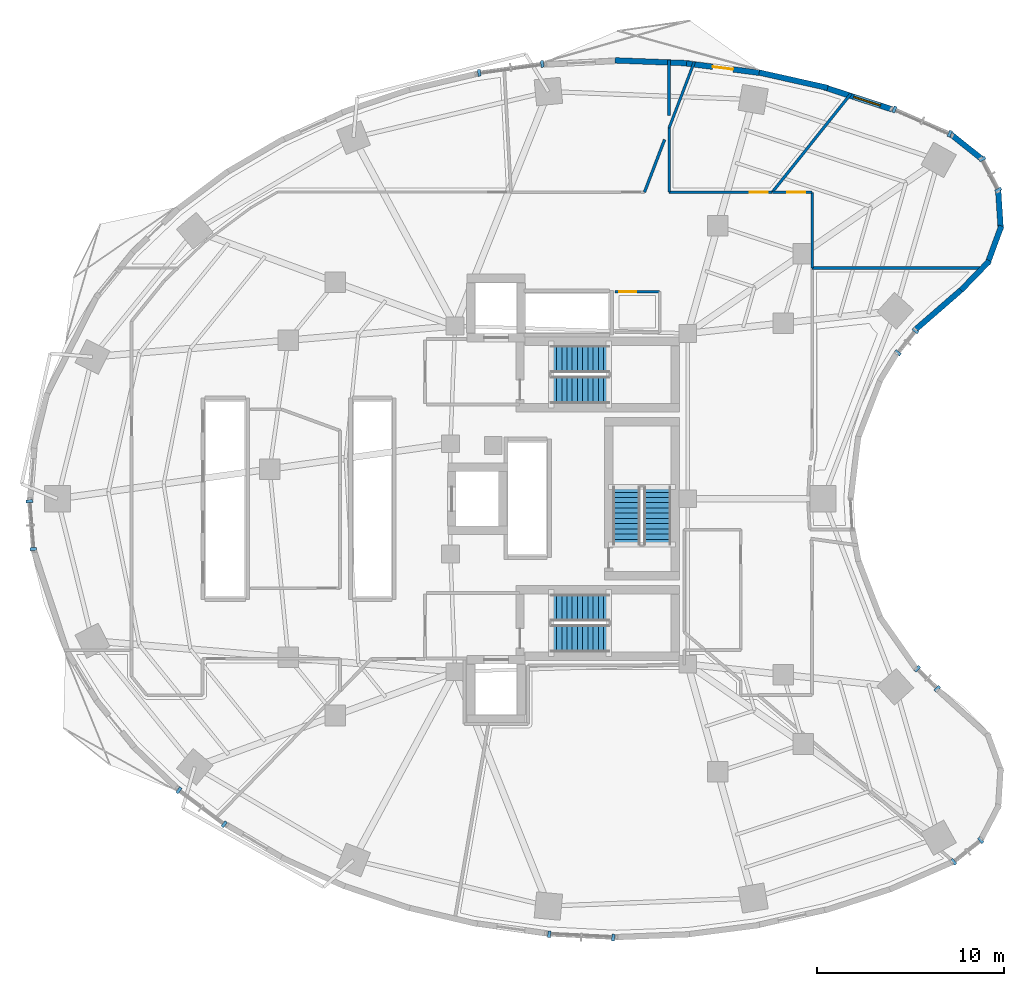
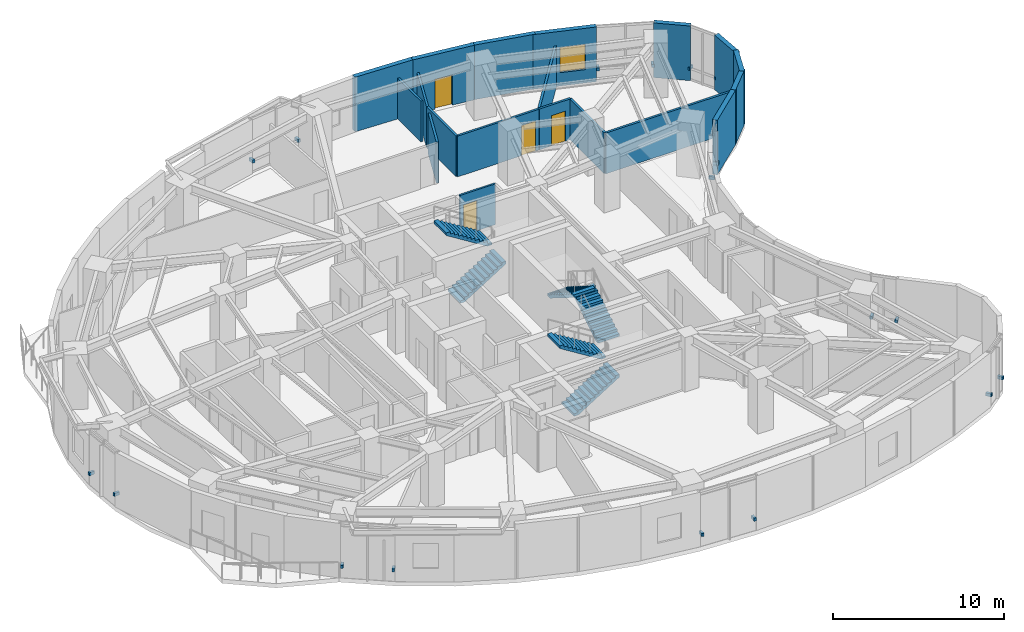
# One storey, part 11 of 14: 19 walls, 18 discrete accessories, 6 stair flights, 4 doors, 1 window, 5 openings, 3 elements without a shape of their own.
"""IFC4 building model written with IfcOpenShell, lengths in metres."""

from ifc_helpers import new_model, si_unit, direction, frame, frame_2d, origin, origin_2d, place, context, subcontext, project, spatial, polyline, rectangle, outline, extrude, material, layer, layer_set, type_object, element, fill, aggregate, save


model = new_model("IFC4")

# Units and contexts
model_context = context("Model", 3, precision=1e-05, world=origin(), true_north=direction((0.0, 1.0)))
body_context = subcontext(model_context, "Body", "Model", "MODEL_VIEW")
ifc_project = project(units=[si_unit("LENGTHUNIT", "METRE"), si_unit("AREAUNIT", "SQUARE_METRE"), si_unit("VOLUMEUNIT", "CUBIC_METRE"), si_unit("PLANEANGLEUNIT", "RADIAN"), si_unit("MASSUNIT", "GRAM", prefix="KILO")], contexts=[model_context])

# Site, building, storey
site_placement = place(None, origin())
site = spatial("IfcSite", under=ifc_project, at=site_placement, CompositionType="ELEMENT")
building_placement = place(site_placement, origin())
building = spatial("IfcBuilding", under=site, at=building_placement, Name="Korentha Bioscience Tower", CompositionType="ELEMENT")
storey_placement = place(building_placement, frame((0.0, 0.0, 46.800048828125)))
storey = spatial("IfcBuildingStorey", under=building, at=storey_placement, Name="L10", CompositionType="ELEMENT", Elevation=46.800048828125)

# Wall, opening, door
ifc_material_1 = material(Name="Double-Stud Acoustic Gypsum", Category="gypsum")
ifc_layer_1 = layer(ifc_material_1, 0.14990234375, Name="Double-Stud Acoustic Gypsum")
ifc_layer_set_1 = layer_set([ifc_layer_1], Name="Double-Stud Acoustic Gypsum (IW-L150)")
wall_type_1 = type_object("IfcWallType", Name="Acoustic Laboratory Partition Wall 150", PredefinedType="PARTITIONING", material=ifc_layer_set_1)
wall_1_placement = place(storey_placement, frame((44.199951171875, 43.409912109375, 0.0), z_axis=(0.0, 0.0, 1.0), x_axis=(-1.0, 0.0, 0.0)))
wall_1 = element("IfcWall", 1, at=wall_1_placement, inside=storey, type_object=wall_type_1, Name="L10 Robotic Liquid-Handling Suite 07 Entrance Wall", PredefinedType="PARTITIONING", context=body_context, shape_type="SweptSolid", body=[
    extrude(rectangle(XDim=2.123779296875, YDim=0.14990234375, at=frame_2d((1.06201171875, 0.0))), origin(), (0.0, 0.0, 1.0), 2.909912109375),
])
opening_1_placement = place(wall_1_placement, frame((0.37158203125, 0.0, 0.0)))
opening_1 = element("IfcOpeningElement", 2, at=opening_1_placement, cuts=wall_1, Name="Opening ID-10R", PredefinedType="OPENING", context=body_context, shape_type="SweptSolid", body=[
    extrude(rectangle(XDim=0.949951171875, YDim=2.14990234375, at=frame_2d((0.47509765625, 1.074951171875))), frame((0.0, 0.08984375, 0.0), z_axis=(0.0, -1.0, 0.0), x_axis=(1.0, 0.0, 0.0)), (0.0, 0.0, 1.0), 0.1796875),
])
ifc_material_2 = material(Name="Phenolic Laminate Timber Core", Category="wood")
door_type_1 = type_object("IfcDoorType", Name="Laboratory Single Leaf Door 950x2150 Right", OperationType="SINGLE_SWING_RIGHT", PredefinedType="DOOR", material=ifc_material_2)
door_1_placement = place(opening_1_placement, origin())
door_1 = element("IfcDoor", 3, at=door_1_placement, inside=storey, type_object=door_type_1, Name="L10 Robotic Liquid-Handling Suite 07 Door", OperationType="SINGLE_SWING_RIGHT", OverallHeight=2.14990234375, OverallWidth=0.949951171875, PredefinedType="DOOR", context=body_context, shape_type="SweptSolid", body=[
    extrude(rectangle(XDim=0.949951171875, YDim=2.14990234375, at=frame_2d((0.47509765625, 1.074951171875))), frame((0.0, 0.02490234375, 0.0), z_axis=(0.0, -1.0, 0.0), x_axis=(1.0, 0.0, 0.0)), (0.0, 0.0, 1.0), 0.050048828125),
])
fill(opening_1, door_1)

# Walls
wall_2_placement = place(storey_placement, frame((44.2099609375, 39.347900390625, 0.0), z_axis=(0.0, 0.0, 1.0), x_axis=(1.0, 0.0, 0.0)))
element("IfcWall", 4, at=wall_2_placement, inside=storey, type_object=wall_type_1, Name="L10 Interior Partition 051", PredefinedType="PARTITIONING", context=body_context, shape_type="SweptSolid", body=[
    extrude(rectangle(XDim=9.172607421875, YDim=0.14990234375, at=frame_2d((4.58642578125, 0.0))), origin(), (0.0, 0.0, 1.0), 2.909912109375),
])
wall_3_placement = place(storey_placement, frame((44.2099609375, 39.35791015625, 0.0), z_axis=(0.0, 0.0, 1.0), x_axis=(0.0, 1.0, 0.0)))
element("IfcWall", 5, at=wall_3_placement, inside=storey, type_object=wall_type_1, Name="L10 Interior Partition 052", PredefinedType="PARTITIONING", context=body_context, shape_type="SweptSolid", body=[
    extrude(rectangle(XDim=4.0419921875, YDim=0.14990234375, at=frame_2d((2.02099609375, 0.0))), origin(), (0.0, 0.0, 1.0), 2.909912109375),
])
wall_4_placement = place(storey_placement, frame((42.076171875, 43.409912109375, 0.0), z_axis=(0.0, 0.0, 1.0), x_axis=(0.623883060792, 0.781517707066, 0.0)))
element("IfcWall", 6, at=wall_4_placement, inside=storey, type_object=wall_type_1, Name="L10 Interior Partition 053", PredefinedType="PARTITIONING", context=body_context, shape_type="SweptSolid", body=[
    extrude(rectangle(XDim=6.74951171875, YDim=0.14990234375, at=frame_2d((3.374755859375, 0.0))), origin(), (0.0, 0.0, 1.0), 2.909912109375),
])
wall_5_placement = place(storey_placement, frame((36.548095703125, 50.470458984375, 0.0), z_axis=(0.0, 0.0, 1.0), x_axis=(0.0, -1.0, 0.0)))
element("IfcWall", 7, at=wall_5_placement, inside=storey, type_object=wall_type_1, Name="L10 Interior Partition 056", PredefinedType="PARTITIONING", context=body_context, shape_type="SweptSolid", body=[
    extrude(rectangle(XDim=2.9677734375, YDim=0.14990234375, at=frame_2d((1.48388671875, 0.0))), origin(), (0.0, 0.0, 1.0), 2.909912109375),
])
wall_6_placement = place(storey_placement, frame((36.31201171875, 46.222900390625, 0.0), z_axis=(0.0, 0.0, 1.0), x_axis=(-0.356750456219, -0.934199717399, 0.0)))
element("IfcWall", 8, at=wall_6_placement, inside=storey, type_object=wall_type_1, Name="L10 Interior Partition 057", PredefinedType="PARTITIONING", context=body_context, shape_type="SweptSolid", body=[
    extrude(rectangle(XDim=3.01123046875, YDim=0.14990234375, at=frame_2d((1.505615234375, 0.0))), origin(), (0.0, 0.0, 1.0), 2.909912109375),
])

# Wall, opening, door
ifc_material_3 = material(Name="Insulated Aluminium Honeycomb Panel", Category="aluminium")
ifc_layer_2 = layer(ifc_material_3, 0.139892578125, Name="Insulated Aluminium Honeycomb Panel")
ifc_layer_set_2 = layer_set([ifc_layer_2], Name="Insulated Aluminium Honeycomb Panel (IW-F60)")
wall_type_2 = type_object("IfcWallType", Name="Cleanroom Flush Metal Panel Partition 140", PredefinedType="PARTITIONING", material=ifc_layer_set_2)
wall_7_placement = place(storey_placement, frame((42.066162109375, 43.409912109375, 0.0), z_axis=(0.0, 0.0, 1.0), x_axis=(-1.0, 0.0, 0.0)))
wall_7 = element("IfcWall", 9, at=wall_7_placement, inside=storey, type_object=wall_type_2, Name="L10 Microfluidics Biochip Cleanroom 08 Entrance Wall", PredefinedType="PARTITIONING", context=body_context, shape_type="SweptSolid", body=[
    extrude(rectangle(XDim=5.51416015625, YDim=0.139892578125, at=frame_2d((2.757080078125, 0.0))), origin(), (0.0, 0.0, 1.0), 2.909912109375),
])
opening_2_placement = place(wall_7_placement, frame((0.239990234375, 0.0, 0.0)))
opening_2 = element("IfcOpeningElement", 10, at=opening_2_placement, cuts=wall_7, Name="Opening ID-10L", PredefinedType="OPENING", context=body_context, shape_type="SweptSolid", body=[
    extrude(rectangle(XDim=0.949951171875, YDim=2.14990234375, at=frame_2d((0.47509765625, 1.074951171875))), frame((0.0, 0.0849609375, 0.0), z_axis=(0.0, -1.0, 0.0), x_axis=(1.0, 0.0, 0.0)), (0.0, 0.0, 1.0), 0.169677734375),
])
door_type_2 = type_object("IfcDoorType", Name="Laboratory Single Leaf Door 950x2150 Left", OperationType="SINGLE_SWING_LEFT", PredefinedType="DOOR", material=ifc_material_2)
door_2_placement = place(opening_2_placement, origin())
door_2 = element("IfcDoor", 11, at=door_2_placement, inside=storey, type_object=door_type_2, Name="L10 Microfluidics Biochip Cleanroom 08 Door", OperationType="SINGLE_SWING_LEFT", OverallHeight=2.14990234375, OverallWidth=0.949951171875, PredefinedType="DOOR", context=body_context, shape_type="SweptSolid", body=[
    extrude(rectangle(XDim=0.949951171875, YDim=2.14990234375, at=frame_2d((0.47509765625, 1.074951171875))), frame((0.0, 0.02490234375, 0.0), z_axis=(0.0, -1.0, 0.0), x_axis=(1.0, 0.0, 0.0)), (0.0, 0.0, 1.0), 0.050048828125),
])
fill(opening_2, door_2)

# Walls
wall_8_placement = place(storey_placement, frame((36.552001953125, 43.409912109375, 0.0), z_axis=(0.0, 0.0, 1.0), x_axis=(0.0, 1.0, 0.0)))
element("IfcWall", 12, at=wall_8_placement, inside=storey, type_object=wall_type_2, Name="L10 Interior Partition 054", PredefinedType="PARTITIONING", context=body_context, shape_type="SweptSolid", body=[
    extrude(rectangle(XDim=3.430419921875, YDim=0.139892578125, at=frame_2d((1.71533203125, 0.0))), origin(), (0.0, 0.0, 1.0), 2.909912109375),
])
wall_9_placement = place(storey_placement, frame((36.552001953125, 46.84033203125, 0.0), z_axis=(0.0, 0.0, 1.0), x_axis=(0.356724060898, 0.934209796767, 0.0)))
element("IfcWall", 13, at=wall_9_placement, inside=storey, type_object=wall_type_2, Name="L10 Interior Partition 055", PredefinedType="PARTITIONING", context=body_context, shape_type="SweptSolid", body=[
    extrude(rectangle(XDim=3.788818359375, YDim=0.139892578125, at=frame_2d((1.89453125, 0.0))), origin(), (0.0, 0.0, 1.0), 2.909912109375),
])

# Wall, opening, window
ifc_material_4 = material(Name="Honed Limestone Precast Concrete C40", Category="masonry")
ifc_layer_3 = layer(ifc_material_4, 0.300048828125, Name="Honed Limestone Precast Concrete C40")
ifc_layer_set_3 = layer_set([ifc_layer_3], Name="Honed Limestone Precast Concrete C40 (EW-ST300)")
wall_type_3 = type_object("IfcWallType", Name="Honed Limestone Cavity Spandrel Wall 300", PredefinedType="STANDARD", material=ifc_layer_set_3)
wall_10_placement = place(storey_placement, frame((48.49951171875, 47.836181640625, 0.0), z_axis=(0.0, 0.0, 1.0), x_axis=(-0.950958033078, 0.30931993037, 0.0)))
wall_10 = element("IfcWall", 14, at=wall_10_placement, inside=storey, type_object=wall_type_3, Name="L10 Honed Limestone Spandrel Wall 02", PredefinedType="STANDARD", context=body_context, shape_type="SweptSolid", body=[
    extrude(rectangle(XDim=3.80029296875, YDim=0.300048828125, at=frame_2d((1.900146484375, 0.0))), origin(), (0.0, 0.0, 1.0), 3.89990234375),
])
opening_3_placement = place(wall_10_placement, frame((0.674560546875, 0.0, 0.949951171875)))
opening_3 = element("IfcOpeningElement", 15, at=opening_3_placement, cuts=wall_10, Name="Opening WN-02", PredefinedType="OPENING", context=body_context, shape_type="SweptSolid", body=[
    extrude(rectangle(XDim=1.5, YDim=1.800048828125, at=frame_2d((0.75, 0.89990234375))), frame((0.0, 0.1650390625, 0.0), z_axis=(0.0, -1.0, 0.0), x_axis=(1.0, 0.0, 0.0)), (0.0, 0.0, 1.0), 0.329833984375),
])
ifc_material_5 = material(Name="Thermally Broken Aluminium Triple Glazing", Category="aluminium")
window_type = type_object("IfcWindowType", Name="Acoustic Operable Office Window 1500x1800", PartitioningType="DOUBLE_PANEL_VERTICAL", PredefinedType="WINDOW", material=ifc_material_5)
window_placement = place(opening_3_placement, origin())
window = element("IfcWindow", 16, at=window_placement, inside=storey, type_object=window_type, Name="L10 Facade Window 02", OverallHeight=1.800048828125, OverallWidth=1.5, PartitioningType="DOUBLE_PANEL_VERTICAL", PredefinedType="WINDOW", context=body_context, shape_type="SweptSolid", body=[
    extrude(rectangle(XDim=1.5, YDim=1.800048828125, at=frame_2d((0.75, 0.89990234375))), frame((0.0, 0.030029296875, 0.0), z_axis=(0.0, -1.0, 0.0), x_axis=(1.0, 0.0, 0.0)), (0.0, 0.0, 1.0), 0.06005859375),
])
fill(opening_3, window)

# Wall, opening, door
wall_11_placement = place(storey_placement, frame((41.37255859375, 49.797607421875, 0.0), z_axis=(0.0, 0.0, 1.0), x_axis=(-0.991741322416, 0.128254237408, 0.0)))
wall_11 = element("IfcWall", 17, at=wall_11_placement, inside=storey, type_object=wall_type_3, Name="L10 Balcony Threshold Wall 01", PredefinedType="STANDARD", context=body_context, shape_type="SweptSolid", body=[
    extrude(rectangle(XDim=3.91552734375, YDim=0.300048828125, at=frame_2d((1.957763671875, 0.0))), origin(), (0.0, 0.0, 1.0), 3.89990234375),
])
opening_4_placement = place(wall_11_placement, frame((1.407958984375, 0.0, 0.0)))
opening_4 = element("IfcOpeningElement", 18, at=opening_4_placement, cuts=wall_11, Name="Opening BD-11L", PredefinedType="OPENING", context=body_context, shape_type="SweptSolid", body=[
    extrude(rectangle(XDim=1.10009765625, YDim=2.14990234375, at=frame_2d((0.550048828125, 1.074951171875))), frame((0.0, 0.1650390625, 0.0), z_axis=(0.0, -1.0, 0.0), x_axis=(1.0, 0.0, 0.0)), (0.0, 0.0, 1.0), 0.329833984375),
])
ifc_material_6 = material(Name="Thermally Broken Glazed Aluminium", Category="aluminium")
door_type_3 = type_object("IfcDoorType", Name="Balcony Terrace Glazed Door 1100x2150 Left", OperationType="SINGLE_SWING_LEFT", PredefinedType="DOOR", material=ifc_material_6)
door_3_placement = place(opening_4_placement, origin())
door_3 = element("IfcDoor", 19, at=door_3_placement, inside=storey, type_object=door_type_3, Name="L10 Balcony Access Door 01", OperationType="SINGLE_SWING_LEFT", OverallHeight=2.14990234375, OverallWidth=1.10009765625, PredefinedType="DOOR", context=body_context, shape_type="SweptSolid", body=[
    extrude(rectangle(XDim=1.10009765625, YDim=2.14990234375, at=frame_2d((0.550048828125, 1.074951171875))), frame((0.0, 0.02490234375, 0.0), z_axis=(0.0, -1.0, 0.0), x_axis=(1.0, 0.0, 0.0)), (0.0, 0.0, 1.0), 0.050048828125),
])
fill(opening_4, door_3)

# Walls
wall_12_placement = place(storey_placement, frame((45.03955078125, 48.9912109375, 0.0), z_axis=(0.0, 0.0, 1.0), x_axis=(-0.975868573345, 0.218358713032, 0.0)))
element("IfcWall", 20, at=wall_12_placement, inside=storey, type_object=wall_type_3, Name="L10 Limestone Perimeter Closure Wall 03", PredefinedType="STANDARD", context=body_context, shape_type="SweptSolid", body=[
    extrude(rectangle(XDim=3.90869140625, YDim=0.300048828125, at=frame_2d((1.954345703125, 0.0))), origin(), (0.0, 0.0, 1.0), 3.89990234375),
])
wall_13_placement = place(storey_placement, frame((37.643798828125, 50.307861328125, 0.0), z_axis=(0.0, 0.0, 1.0), x_axis=(-0.999245411623, 0.038840794937, 0.0)))
element("IfcWall", 21, at=wall_13_placement, inside=storey, type_object=wall_type_3, Name="L10 Limestone Perimeter Closure Wall 05", PredefinedType="STANDARD", context=body_context, shape_type="SweptSolid", body=[
    extrude(rectangle(XDim=3.978759765625, YDim=0.300048828125, at=frame_2d((1.9892578125, 0.0))), origin(), (0.0, 0.0, 1.0), 3.89990234375),
])
wall_14_placement = place(storey_placement, frame((49.708984375, 36.029296875, 0.0), z_axis=(0.0, 0.0, 1.0), x_axis=(0.754746490246, 0.656016566454, 0.0)))
element("IfcWall", 22, at=wall_14_placement, inside=storey, type_object=wall_type_3, Name="L10 Limestone Perimeter Closure Wall 56", PredefinedType="STANDARD", context=body_context, shape_type="SweptSolid", body=[
    extrude(rectangle(XDim=3.4296875, YDim=0.300048828125, at=frame_2d((1.71484375, 0.0))), origin(), (0.0, 0.0, 1.0), 3.89990234375),
])
wall_15_placement = place(storey_placement, frame((52.1728515625, 38.1611328125, 0.0), z_axis=(0.0, 0.0, 1.0), x_axis=(0.695404695719, 0.718618333451, 0.0)))
element("IfcWall", 23, at=wall_15_placement, inside=storey, type_object=wall_type_3, Name="L10 Limestone Perimeter Closure Wall 58", PredefinedType="STANDARD", context=body_context, shape_type="SweptSolid", body=[
    extrude(rectangle(XDim=2.1875, YDim=0.300048828125, at=frame_2d((1.09375, 0.0))), origin(), (0.0, 0.0, 1.0), 3.89990234375),
])
for number, where, z_axis, x_axis, name in (
    (24, (53.580078125, 39.551513671875, 0.0), (0.0, 0.0, 1.0), (0.344939866054, 0.938624785954, 0.0), "L10 Limestone Perimeter Closure Wall 59"),
    (25, (54.303955078125, 41.392578125, 0.0), (0.0, 0.0, 1.0), (-0.064615302336, 0.99791024782, 0.0), "L10 Limestone Perimeter Closure Wall 60"),
    (26, (53.343994140625, 45.142822265625, 0.0), (0.0, 0.0, 1.0), (-0.782282158644, 0.622924252432, 0.0), "L10 Limestone Perimeter Closure Wall 62"),
):
    element("IfcWall", number, at=place(storey_placement, frame(where, z_axis=z_axis, x_axis=x_axis)), inside=storey, type_object=wall_type_3, Name=name, PredefinedType="STANDARD", context=body_context, shape_type="SweptSolid", body=[
        extrude(rectangle(XDim=2.187744140625, YDim=0.300048828125, at=frame_2d((1.09375, 0.0))), origin(), (0.0, 0.0, 1.0), 3.89990234375),
    ])

# Wall, opening, door
ifc_material_7 = material(Name="Cement-Board Steel Stud", Category="steel")
ifc_layer_4 = layer(ifc_material_7, 0.1298828125, Name="Cement-Board Steel Stud")
ifc_layer_set_4 = layer_set([ifc_layer_4], Name="Cement-Board Steel Stud (IW-W130)")
wall_type_4 = type_object("IfcWallType", Name="Wet-Area Moisture-Resistant Partition 130", PredefinedType="PARTITIONING", material=ifc_layer_set_4)
wall_16_placement = place(storey_placement, frame((33.64990234375, 38.090087890625, 0.0), z_axis=(0.0, 0.0, 1.0), x_axis=(1.0, 0.0, 0.0)))
wall_16 = element("IfcWall", 27, at=wall_16_placement, inside=storey, type_object=wall_type_4, Name="L10 Accessible Staff WC Entrance Wall", PredefinedType="PARTITIONING", context=body_context, shape_type="SweptSolid", body=[
    extrude(rectangle(XDim=2.400146484375, YDim=0.1298828125, at=frame_2d((1.2001953125, 0.0))), origin(), (0.0, 0.0, 1.0), 2.909912109375),
])
opening_5_placement = place(wall_16_placement, frame((0.239990234375, 0.0, 0.0)))
opening_5 = element("IfcOpeningElement", 28, at=opening_5_placement, cuts=wall_16, Name="Opening ID-09L", PredefinedType="OPENING", context=body_context, shape_type="SweptSolid", body=[
    extrude(rectangle(XDim=0.89990234375, YDim=2.14990234375, at=frame_2d((0.449951171875, 1.074951171875))), frame((0.0, 0.079833984375, 0.0), z_axis=(0.0, -1.0, 0.0), x_axis=(1.0, 0.0, 0.0)), (0.0, 0.0, 1.0), 0.15966796875),
])
ifc_material_8 = material(Name="Moisture-Resistant HPL Leaf", Category="wood")
door_type_4 = type_object("IfcDoorType", Name="Restroom & Accessible WC Door 900x2150 Left", OperationType="SINGLE_SWING_LEFT", PredefinedType="DOOR", material=ifc_material_8)
door_4_placement = place(opening_5_placement, origin())
door_4 = element("IfcDoor", 29, at=door_4_placement, inside=storey, type_object=door_type_4, Name="L10 Accessible Staff WC Door", OperationType="SINGLE_SWING_LEFT", OverallHeight=2.14990234375, OverallWidth=0.89990234375, PredefinedType="DOOR", context=body_context, shape_type="SweptSolid", body=[
    extrude(rectangle(XDim=0.89990234375, YDim=2.14990234375, at=frame_2d((0.449951171875, 1.074951171875))), frame((0.0, 0.02490234375, 0.0), z_axis=(0.0, -1.0, 0.0), x_axis=(1.0, 0.0, 0.0)), (0.0, 0.0, 1.0), 0.050048828125),
])
fill(opening_5, door_4)

# Stair, stair flights
ifc_material_9 = material(Name="Precast Concrete C50", Category="concrete")
stair_type = type_object("IfcStairType", Name="Core Exit Dog-Leg Stair 1450", PredefinedType="HALF_TURN_STAIR", material=ifc_material_9)
stair_1_placement = place(storey_placement, origin())
stair_1 = element("IfcStair", 30, at=stair_1_placement, inside=storey, type_object=stair_type, Name="L10 Tower North Pressurized Exit Stair ST-1", PredefinedType="HALF_TURN_STAIR")
stair_flight_type = type_object("IfcStairFlightType", Name="Core Exit Dog-Leg Stair 1450 Flight", PredefinedType="STRAIGHT", material=ifc_material_9)
stair_flight_1_placement = place(storey_placement, frame((30.25, 32.824951171875, 0.0), z_axis=(0.0, 0.0, 1.0), x_axis=(1.0, 0.0, 0.0)))
stair_flight_1 = element("IfcStairFlight", 31, at=stair_flight_1_placement, type_object=stair_flight_type, Name="ST-1 flight 1", NumberOfRisers=12, NumberOfTreads=11, PredefinedType="STRAIGHT", RiserHeight=0.175, TreadLength=0.28, context=body_context, shape_type="SweptSolid", body=[
    extrude(outline(polyline([(0.0, 0.0), (0.0, 0.175048828125), (0.280029296875, 0.175048828125), (0.280029296875, 0.35009765625), (0.56005859375, 0.35009765625), (0.56005859375, 0.52490234375), (0.840087890625, 0.52490234375), (0.840087890625, 0.699951171875), (1.1201171875, 0.699951171875), (1.1201171875, 0.875), (1.39990234375, 0.875), (1.39990234375, 1.050048828125), (1.679931640625, 1.050048828125), (1.679931640625, 1.22509765625), (1.9599609375, 1.22509765625), (1.9599609375, 1.39990234375), (2.239990234375, 1.39990234375), (2.239990234375, 1.574951171875), (2.52001953125, 1.574951171875), (2.52001953125, 1.75), (2.800048828125, 1.75), (2.800048828125, 1.925048828125), (3.080078125, 1.925048828125), (3.080078125, 2.10009765625), (3.080078125, 1.736328125), (0.3017578125, 0.0), (0.0, 0.0)])), frame((0.0, 0.72509765625, 0.0), z_axis=(0.0, -1.0, 0.0), x_axis=(1.0, 0.0, 0.0)), (0.0, 0.0, 1.0), 1.449951171875),
])
stair_flight_2_placement = place(storey_placement, frame((33.330078125, 34.47509765625, 2.099853515625), z_axis=(0.0, 0.0, 1.0), x_axis=(-1.0, 0.0, 0.0)))
stair_flight_2 = element("IfcStairFlight", 32, at=stair_flight_2_placement, type_object=stair_flight_type, Name="ST-1 flight 2", NumberOfRisers=12, NumberOfTreads=11, PredefinedType="STRAIGHT", RiserHeight=0.175, TreadLength=0.28, context=body_context, shape_type="SweptSolid", body=[
    extrude(outline(polyline([(0.0, 0.0), (0.0, 0.175048828125), (0.280029296875, 0.175048828125), (0.280029296875, 0.35009765625), (0.56005859375, 0.35009765625), (0.56005859375, 0.52490234375), (0.840087890625, 0.52490234375), (0.840087890625, 0.699951171875), (1.1201171875, 0.699951171875), (1.1201171875, 0.875), (1.39990234375, 0.875), (1.39990234375, 1.050048828125), (1.679931640625, 1.050048828125), (1.679931640625, 1.22509765625), (1.9599609375, 1.22509765625), (1.9599609375, 1.39990234375), (2.239990234375, 1.39990234375), (2.239990234375, 1.574951171875), (2.52001953125, 1.574951171875), (2.52001953125, 1.75), (2.800048828125, 1.75), (2.800048828125, 1.925048828125), (3.080078125, 1.925048828125), (3.080078125, 2.10009765625), (3.080078125, 1.736328125), (0.3017578125, 0.0), (0.0, 0.0)])), frame((0.0, 0.72509765625, 0.0), z_axis=(0.0, -1.0, 0.0), x_axis=(1.0, 0.0, 0.0)), (0.0, 0.0, 1.0), 1.449951171875),
])
aggregate(stair_1, [stair_flight_1, stair_flight_2])

stair_2_placement = place(storey_placement, origin())
stair_2 = element("IfcStair", 33, at=stair_2_placement, inside=storey, type_object=stair_type, Name="L10 Tower South Pressurized Exit Stair ST-2", PredefinedType="HALF_TURN_STAIR")
stair_flight_3_placement = place(storey_placement, frame((30.25, 19.52490234375, 0.0), z_axis=(0.0, 0.0, 1.0), x_axis=(1.0, 0.0, 0.0)))
stair_flight_3 = element("IfcStairFlight", 34, at=stair_flight_3_placement, type_object=stair_flight_type, Name="ST-2 flight 1", NumberOfRisers=12, NumberOfTreads=11, PredefinedType="STRAIGHT", RiserHeight=0.175, TreadLength=0.28, context=body_context, shape_type="SweptSolid", body=[
    extrude(outline(polyline([(0.0, 0.0), (0.0, 0.175048828125), (0.280029296875, 0.175048828125), (0.280029296875, 0.35009765625), (0.56005859375, 0.35009765625), (0.56005859375, 0.52490234375), (0.840087890625, 0.52490234375), (0.840087890625, 0.699951171875), (1.1201171875, 0.699951171875), (1.1201171875, 0.875), (1.39990234375, 0.875), (1.39990234375, 1.050048828125), (1.679931640625, 1.050048828125), (1.679931640625, 1.22509765625), (1.9599609375, 1.22509765625), (1.9599609375, 1.39990234375), (2.239990234375, 1.39990234375), (2.239990234375, 1.574951171875), (2.52001953125, 1.574951171875), (2.52001953125, 1.75), (2.800048828125, 1.75), (2.800048828125, 1.925048828125), (3.080078125, 1.925048828125), (3.080078125, 2.10009765625), (3.080078125, 1.736328125), (0.3017578125, 0.0), (0.0, 0.0)])), frame((0.0, 0.72509765625, 0.0), z_axis=(0.0, -1.0, 0.0), x_axis=(1.0, 0.0, 0.0)), (0.0, 0.0, 1.0), 1.449951171875),
])
stair_flight_4_placement = place(storey_placement, frame((33.330078125, 21.175048828125, 2.099853515625), z_axis=(0.0, 0.0, 1.0), x_axis=(-1.0, 0.0, 0.0)))
stair_flight_4 = element("IfcStairFlight", 35, at=stair_flight_4_placement, type_object=stair_flight_type, Name="ST-2 flight 2", NumberOfRisers=12, NumberOfTreads=11, PredefinedType="STRAIGHT", RiserHeight=0.175, TreadLength=0.28, context=body_context, shape_type="SweptSolid", body=[
    extrude(outline(polyline([(0.0, 0.0), (0.0, 0.175048828125), (0.280029296875, 0.175048828125), (0.280029296875, 0.35009765625), (0.56005859375, 0.35009765625), (0.56005859375, 0.52490234375), (0.840087890625, 0.52490234375), (0.840087890625, 0.699951171875), (1.1201171875, 0.699951171875), (1.1201171875, 0.875), (1.39990234375, 0.875), (1.39990234375, 1.050048828125), (1.679931640625, 1.050048828125), (1.679931640625, 1.22509765625), (1.9599609375, 1.22509765625), (1.9599609375, 1.39990234375), (2.239990234375, 1.39990234375), (2.239990234375, 1.574951171875), (2.52001953125, 1.574951171875), (2.52001953125, 1.75), (2.800048828125, 1.75), (2.800048828125, 1.925048828125), (3.080078125, 1.925048828125), (3.080078125, 2.10009765625), (3.080078125, 1.736328125), (0.3017578125, 0.0), (0.0, 0.0)])), frame((0.0, 0.72509765625, 0.0), z_axis=(0.0, -1.0, 0.0), x_axis=(1.0, 0.0, 0.0)), (0.0, 0.0, 1.0), 1.449951171875),
])
aggregate(stair_2, [stair_flight_3, stair_flight_4])

stair_3_placement = place(storey_placement, origin())
stair_3 = element("IfcStair", 36, at=stair_3_placement, inside=storey, type_object=stair_type, Name="L10 Tower Central Pressurized Exit Stair ST-3", PredefinedType="HALF_TURN_STAIR")
stair_flight_5_placement = place(storey_placement, frame((35.925048828125, 24.550048828125, 0.0), z_axis=(0.0, 0.0, 1.0), x_axis=(0.0, 1.0, 0.0)))
stair_flight_5 = element("IfcStairFlight", 37, at=stair_flight_5_placement, type_object=stair_flight_type, Name="ST-3 flight 1", NumberOfRisers=12, NumberOfTreads=11, PredefinedType="STRAIGHT", RiserHeight=0.175, TreadLength=0.28, context=body_context, shape_type="SweptSolid", body=[
    extrude(outline(polyline([(0.0, 0.0), (0.0, 0.175048828125), (0.280029296875, 0.175048828125), (0.280029296875, 0.35009765625), (0.56005859375, 0.35009765625), (0.56005859375, 0.52490234375), (0.840087890625, 0.52490234375), (0.840087890625, 0.699951171875), (1.1201171875, 0.699951171875), (1.1201171875, 0.875), (1.39990234375, 0.875), (1.39990234375, 1.050048828125), (1.679931640625, 1.050048828125), (1.679931640625, 1.22509765625), (1.9599609375, 1.22509765625), (1.9599609375, 1.39990234375), (2.239990234375, 1.39990234375), (2.239990234375, 1.574951171875), (2.52001953125, 1.574951171875), (2.52001953125, 1.75), (2.800048828125, 1.75), (2.800048828125, 1.925048828125), (3.080078125, 1.925048828125), (3.080078125, 2.10009765625), (3.080078125, 1.736328125), (0.3017578125, 0.0), (0.0, 0.0)])), frame((0.0, 0.72509765625, 0.0), z_axis=(0.0, -1.0, 0.0), x_axis=(1.0, 0.0, 0.0)), (0.0, 0.0, 1.0), 1.449951171875),
])
stair_flight_6_placement = place(storey_placement, frame((34.27490234375, 27.6298828125, 2.099853515625), z_axis=(0.0, 0.0, 1.0), x_axis=(0.0, -1.0, 0.0)))
stair_flight_6 = element("IfcStairFlight", 38, at=stair_flight_6_placement, type_object=stair_flight_type, Name="ST-3 flight 2", NumberOfRisers=12, NumberOfTreads=11, PredefinedType="STRAIGHT", RiserHeight=0.175, TreadLength=0.28, context=body_context, shape_type="SweptSolid", body=[
    extrude(outline(polyline([(0.0, 0.0), (0.0, 0.175048828125), (0.280029296875, 0.175048828125), (0.280029296875, 0.35009765625), (0.56005859375, 0.35009765625), (0.56005859375, 0.52490234375), (0.840087890625, 0.52490234375), (0.840087890625, 0.699951171875), (1.1201171875, 0.699951171875), (1.1201171875, 0.875), (1.39990234375, 0.875), (1.39990234375, 1.050048828125), (1.679931640625, 1.050048828125), (1.679931640625, 1.22509765625), (1.9599609375, 1.22509765625), (1.9599609375, 1.39990234375), (2.239990234375, 1.39990234375), (2.239990234375, 1.574951171875), (2.52001953125, 1.574951171875), (2.52001953125, 1.75), (2.800048828125, 1.75), (2.800048828125, 1.925048828125), (3.080078125, 1.925048828125), (3.080078125, 2.10009765625), (3.080078125, 1.736328125), (0.3017578125, 0.0), (0.0, 0.0)])), frame((0.0, 0.72509765625, 0.0), z_axis=(0.0, -1.0, 0.0), x_axis=(1.0, 0.0, 0.0)), (0.0, 0.0, 1.0), 1.449951171875),
])
aggregate(stair_3, [stair_flight_5, stair_flight_6])

# Discrete accessories
ifc_material_10 = material(Name="Stainless Steel 316", Category="steel")
discrete_accessory_type = type_object("IfcDiscreteAccessoryType", Name="Stainless Steel Solar-Screen Outrigger Bracket", PredefinedType="BRACKET", material=ifc_material_10)
for number, where, z_axis, x_axis, name in (
    (39, (51.572998046875, 46.536865234375, 0.73974609375), (0.0, 0.0, 1.0), (-0.91593909057, 0.401317308828, 0.0), "CW-L10-01 Solar-Screen Support Bracket 1"),
    (40, (48.61279296875, 47.833740234375, 0.73974609375), (0.0, 0.0, 1.0), (-0.91593909057, 0.401317308828, 0.0), "CW-L10-01 Solar-Screen Support Bracket 2"),
    (41, (29.76611328125, 50.271240234375, 0.73974609375), (0.0, 0.0, 1.0), (-0.990167372968, -0.139887717511, 0.0), "CW-L10-07 Solar-Screen Support Bracket 1"),
    (42, (26.39306640625, 49.794677734375, 0.73974609375), (0.0, 0.0, 1.0), (-0.990167372968, -0.139887717511, 0.0), "CW-L10-07 Solar-Screen Support Bracket 2"),
    (43, (2.320556640625, 26.8740234375, 0.73974609375), (0.0, 0.0, 1.0), (0.080820466375, -0.996728675325, 0.0), "CW-L10-19 Solar-Screen Support Bracket 1"),
    (44, (2.5283203125, 24.31298828125, 0.73974609375), (0.0, 0.0, 1.0), (0.080820466375, -0.996728675325, 0.0), "CW-L10-19 Solar-Screen Support Bracket 2"),
    (45, (10.3212890625, 11.402099609375, 0.73974609375), (0.0, 0.0, 1.0), (0.800797909614, -0.598934644145, 0.0), "CW-L10-25 Solar-Screen Support Bracket 1"),
    (46, (12.74609375, 9.58837890625, 0.73974609375), (0.0, 0.0, 1.0), (0.800797909614, -0.598934644145, 0.0), "CW-L10-25 Solar-Screen Support Bracket 2"),
    (47, (30.14013671875, 3.693115234375, 0.73974609375), (0.0, 0.0, 1.0), (0.998730551641, -0.050371472279, 0.0), "CW-L10-31 Solar-Screen Support Bracket 1"),
    (48, (33.565185546875, 3.520263671875, 0.73974609375), (0.0, 0.0, 1.0), (0.998730551641, -0.050371472279, 0.0), "CW-L10-31 Solar-Screen Support Bracket 2"),
    (49, (51.781494140625, 7.57470703125, 0.73974609375), (0.0, 0.0, 1.0), (0.782287851332, 0.62291710336, 0.0), "CW-L10-37 Solar-Screen Support Bracket 1"),
    (50, (53.232421875, 8.72998046875, 0.73974609375), (0.0, 0.0, 1.0), (0.782287851332, 0.62291710336, 0.0), "CW-L10-37 Solar-Screen Support Bracket 2"),
    (51, (50.907470703125, 16.841552734375, 0.73974609375), (0.0, 0.0, 1.0), (-0.713279246754, 0.700879958445, 0.0), "CW-L10-43 Solar-Screen Support Bracket 1"),
    (52, (49.829345703125, 17.901123046875, 0.73974609375), (0.0, 0.0, 1.0), (-0.713279246754, 0.700879958445, 0.0), "CW-L10-43 Solar-Screen Support Bracket 2"),
    (53, (48.794921875, 34.812255859375, 0.73974609375), (0.0, 0.0, 1.0), (0.622520324648, 0.782603632371, 0.0), "CW-L10-55 Solar-Screen Support Bracket 1"),
    (54, (49.736083984375, 35.995361328125, 0.73974609375), (0.0, 0.0, 1.0), (0.622520324648, 0.782603632371, 0.0), "CW-L10-55 Solar-Screen Support Bracket 2"),
    (55, (54.169921875, 43.530517578125, 0.73974609375), (0.0, 0.0, 1.0), (-0.463008597697, 0.886353788539, 0.0), "CW-L10-61 Solar-Screen Support Bracket 1"),
    (56, (53.31103515625, 45.1748046875, 0.73974609375), (0.0, 0.0, 1.0), (-0.463008597697, 0.886353788539, 0.0), "CW-L10-61 Solar-Screen Support Bracket 2"),
):
    element("IfcDiscreteAccessory", number, at=place(storey_placement, frame(where, z_axis=z_axis, x_axis=x_axis)), inside=storey, type_object=discrete_accessory_type, Name=name, PredefinedType="BRACKET", context=body_context, shape_type="SweptSolid", body=[
        extrude(rectangle(XDim=0.159912109375, YDim=0.360107421875, at=origin_2d()), origin(), (0.0, 0.0, 1.0), 0.219970703125),
    ])

save(model, "model.ifc")
